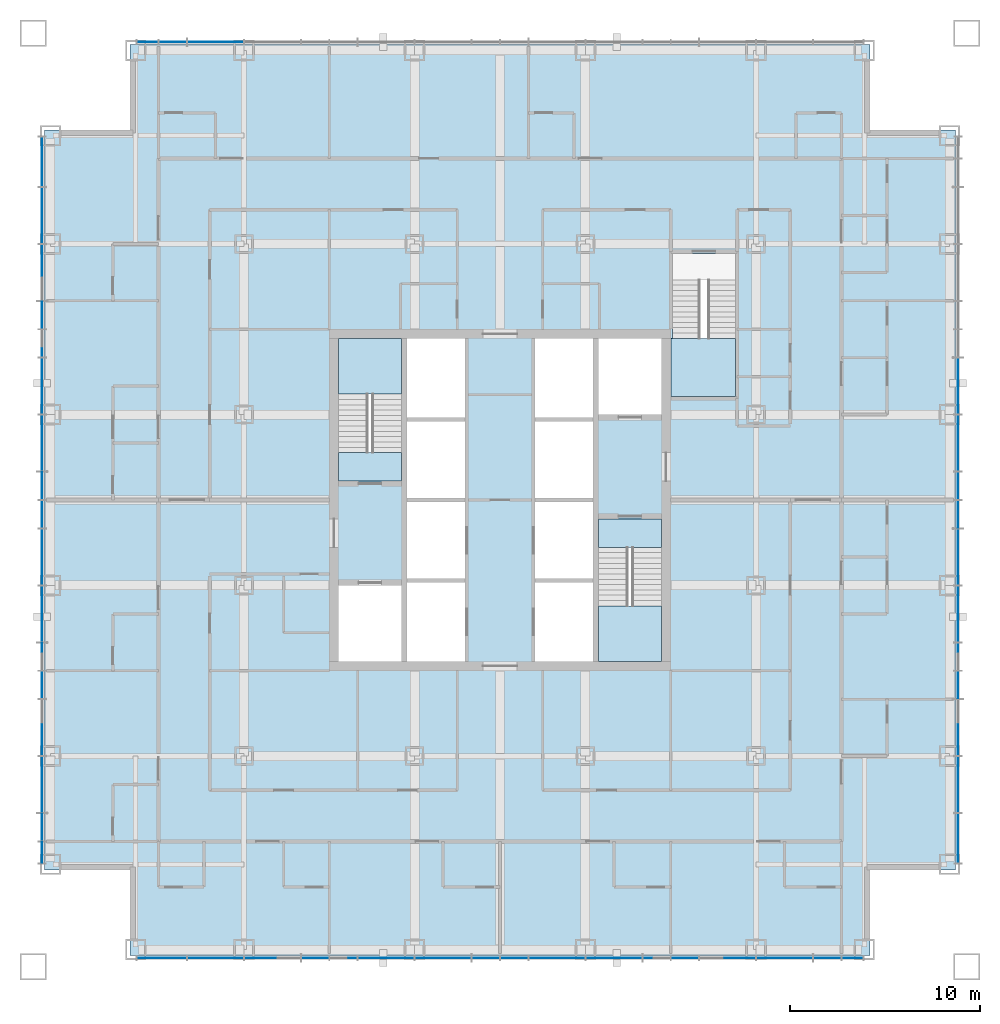
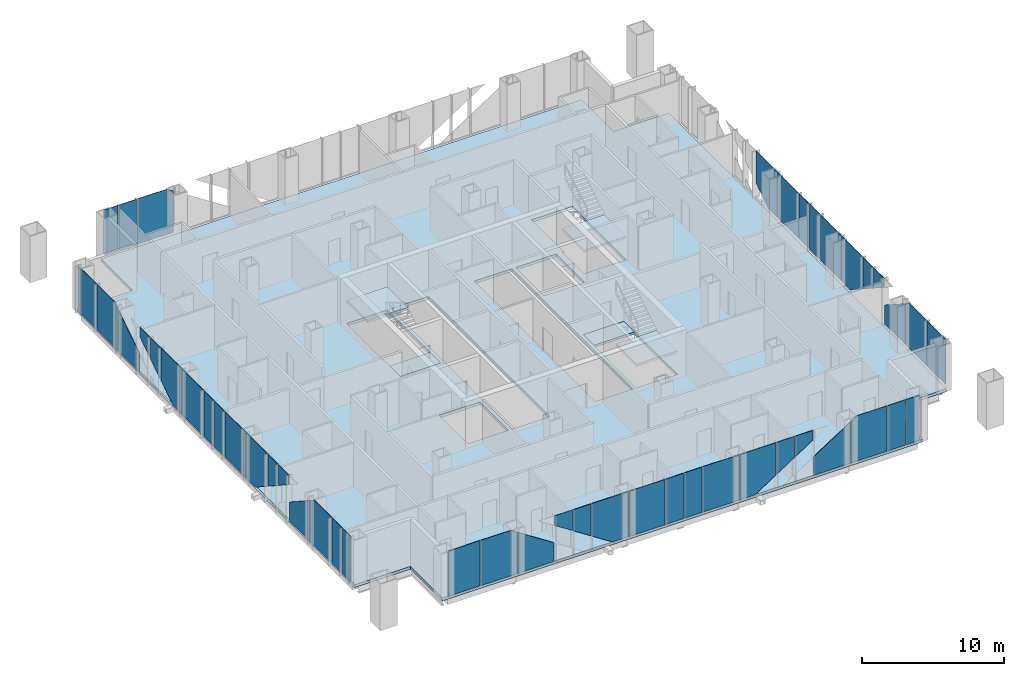
# One storey, part 7 of 13: 48 plates, 6 slabs, 7 elements without a shape of their own.
"""IFC4 building model written with IfcOpenShell, lengths in metres."""

from ifc_helpers import new_model, si_unit, direction, frame, origin, origin_2d, place, context, subcontext, project, spatial, polyline, rectangle, outline, extrude, material, layer, layer_set, type_object, element, aggregate, save


model = new_model("IFC4")

# Units and contexts
model_context = context("Model", 3, precision=1e-05, world=origin(), true_north=direction((0.0, 1.0)))
body_context = subcontext(model_context, "Body", "Model", "MODEL_VIEW")
ifc_project = project(units=[si_unit("LENGTHUNIT", "METRE"), si_unit("AREAUNIT", "SQUARE_METRE"), si_unit("VOLUMEUNIT", "CUBIC_METRE"), si_unit("PLANEANGLEUNIT", "RADIAN"), si_unit("MASSUNIT", "GRAM", prefix="KILO")], contexts=[model_context])

# Site, building, storey
site_placement = place(None, origin())
site = spatial("IfcSite", under=ifc_project, at=site_placement, CompositionType="ELEMENT")
building_placement = place(site_placement, origin())
building = spatial("IfcBuilding", under=site, at=building_placement, Name="Malebo Sky Hospital", CompositionType="ELEMENT")
storey_placement = place(building_placement, frame((0.0, 0.0, 160.0)))
storey = spatial("IfcBuildingStorey", under=building, at=storey_placement, Name="L38", CompositionType="ELEMENT", Elevation=160.0)

# Slab
ifc_material_1 = material(Name="Concrete C40/50", Category="concrete")
ifc_layer_1 = layer(ifc_material_1, 0.25)
ifc_layer_set_1 = layer_set([ifc_layer_1], Name="COMPOSITE FLOOR SLAB 250")
slab_type_1 = type_object("IfcSlabType", Name="COMPOSITE FLOOR SLAB 250", PredefinedType="FLOOR", material=ifc_layer_set_1)
slab_1_placement = place(storey_placement, frame((0.0, 0.0, -0.25)))
element("IfcSlab", 1, at=slab_1_placement, inside=storey, type_object=slab_type_1, Name="Floor slab L38", PredefinedType="FLOOR", context=body_context, shape_type="SweptSolid", body=[
    extrude(outline(polyline([(40.5, 86.0), (40.5, 81.5), (36.0, 81.5), (36.0, 42.5), (40.5, 42.5), (40.5, 38.0), (79.5, 38.0), (79.5, 42.5), (84.0, 42.5), (84.0, 81.5), (79.5, 81.5), (79.5, 86.0), (40.5, 86.0)]), holes=[polyline([(55.10009765625, 70.5), (58.14990234375, 70.5), (58.14990234375, 53.5), (55.10009765625, 53.5), (55.10009765625, 70.5)]), polyline([(64.89990234375, 70.5), (64.89990234375, 53.5), (61.85009765625, 53.5), (61.85009765625, 70.5), (64.89990234375, 70.5)]), polyline([(54.800048828125, 63.0), (51.5, 63.0), (51.5, 70.5), (54.800048828125, 70.5), (54.800048828125, 63.0)]), polyline([(51.5, 53.5), (51.5, 57.5), (54.800048828125, 57.5), (54.800048828125, 53.5), (51.5, 53.5)]), polyline([(65.199951171875, 61.0), (68.5, 61.0), (68.5, 53.5), (65.199951171875, 53.5), (65.199951171875, 61.0)]), polyline([(68.5, 70.5), (68.5, 66.5), (65.199951171875, 66.5), (65.199951171875, 70.5), (68.5, 70.5)]), polyline([(69.0, 67.449951171875), (69.0, 70.52001953125), (69.10009765625, 70.52001953125), (69.10009765625, 75.0), (72.39990234375, 75.0), (72.39990234375, 67.449951171875), (69.10009765625, 67.449951171875), (69.0, 67.449951171875)])]), origin(), (0.0, 0.0, 1.0), 0.25),
])

# Stair, slabs
stair_type_1 = type_object("IfcStairType", Name="HALF-TURN STAIR 1500 R167", PredefinedType="HALF_TURN_STAIR", material=ifc_material_1)
stair_1_placement = place(storey_placement, origin())
stair_1 = element("IfcStair", 2, at=stair_1_placement, inside=storey, type_object=stair_type_1, Name="Stair S1 L38 type ST1", PredefinedType="HALF_TURN_STAIR")
ifc_layer_2 = layer(ifc_material_1, 0.199951171875)
ifc_layer_set_2 = layer_set([ifc_layer_2], Name="STAIR LANDING 200")
slab_type_2 = type_object("IfcSlabType", Name="STAIR LANDING 200", PredefinedType="LANDING", material=ifc_layer_set_2)
slab_2_placement = place(storey_placement, frame((0.0, 0.0, -0.199951171875)))
slab_2 = element("IfcSlab", 3, at=slab_2_placement, type_object=slab_type_2, Name="S1 landing 1", PredefinedType="LANDING", context=body_context, shape_type="SweptSolid", body=[
    extrude(outline(polyline([(51.5, 63.0), (54.800048828125, 63.0), (54.800048828125, 64.5), (51.5, 64.5), (51.5, 63.0)])), origin(), (0.0, 0.0, 1.0), 0.199951171875),
])
slab_3_placement = place(storey_placement, frame((0.0, 0.0, 1.800048828125)))
slab_3 = element("IfcSlab", 4, at=slab_3_placement, type_object=slab_type_2, Name="S1 landing 2", PredefinedType="LANDING", context=body_context, shape_type="SweptSolid", body=[
    extrude(outline(polyline([(51.5, 67.580078125), (54.800048828125, 67.580078125), (54.800048828125, 70.5), (51.5, 70.5), (51.5, 67.580078125)])), origin(), (0.0, 0.0, 1.0), 0.199951171875),
])
aggregate(stair_1, [slab_2, slab_3])

stair_2_placement = place(storey_placement, origin())
stair_2 = element("IfcStair", 5, at=stair_2_placement, inside=storey, type_object=stair_type_1, Name="Stair S2 L38 type ST1", PredefinedType="HALF_TURN_STAIR")
slab_4_placement = place(storey_placement, frame((0.0, 0.0, -0.199951171875)))
slab_4 = element("IfcSlab", 6, at=slab_4_placement, type_object=slab_type_2, Name="S2 landing 1", PredefinedType="LANDING", context=body_context, shape_type="SweptSolid", body=[
    extrude(outline(polyline([(65.199951171875, 59.5), (68.5, 59.5), (68.5, 61.0), (65.199951171875, 61.0), (65.199951171875, 59.5)])), origin(), (0.0, 0.0, 1.0), 0.199951171875),
])
slab_5_placement = place(storey_placement, frame((0.0, 0.0, 1.800048828125)))
slab_5 = element("IfcSlab", 7, at=slab_5_placement, type_object=slab_type_2, Name="S2 landing 2", PredefinedType="LANDING", context=body_context, shape_type="SweptSolid", body=[
    extrude(outline(polyline([(65.199951171875, 53.5), (68.5, 53.5), (68.5, 56.419921875), (65.199951171875, 56.419921875), (65.199951171875, 53.5)])), origin(), (0.0, 0.0, 1.0), 0.199951171875),
])
aggregate(stair_2, [slab_4, slab_5])

# Stair, slab
stair_type_2 = type_object("IfcStairType", Name="HALF-TURN STAIR 1400 R167", PredefinedType="HALF_TURN_STAIR", material=ifc_material_1)
stair_3_placement = place(storey_placement, origin())
stair_3 = element("IfcStair", 8, at=stair_3_placement, inside=storey, type_object=stair_type_2, Name="Stair S3 L38 type ST1B", PredefinedType="HALF_TURN_STAIR")
slab_6_placement = place(storey_placement, frame((0.0, 0.0, 1.800048828125)))
slab_6 = element("IfcSlab", 9, at=slab_6_placement, type_object=slab_type_2, Name="S3 landing 2", PredefinedType="LANDING", context=body_context, shape_type="SweptSolid", body=[
    extrude(outline(polyline([(69.0, 67.449951171875), (72.39990234375, 67.449951171875), (72.39990234375, 70.52001953125), (69.0, 70.52001953125), (69.0, 67.449951171875)])), origin(), (0.0, 0.0, 1.0), 0.199951171875),
])
aggregate(stair_3, [slab_6])

# Curtain wall, plates
ifc_material_2 = material(Name="Anodised aluminium, natural silver", Category="aluminium")
ifc_layer_3 = layer(ifc_material_2, 0.25)
ifc_layer_set_3 = layer_set([ifc_layer_3], Name="WARD CURTAIN WALL NORTH AND SOUTH")
curtain_wall_type_1 = type_object("IfcCurtainWallType", Name="WARD CURTAIN WALL NORTH AND SOUTH", PredefinedType="NOTDEFINED", material=ifc_layer_set_3)
curtain_wall_1_placement = place(storey_placement, origin())
curtain_wall_1 = element("IfcCurtainWall", 10, at=curtain_wall_1_placement, inside=storey, type_object=curtain_wall_type_1, Name="NS curtain wall N", PredefinedType="NOTDEFINED")
ifc_material_3 = material(Name="Clear low-iron double glazing", Category="glass")
ifc_layer_4 = layer(ifc_material_3, 0.031982421875)
ifc_layer_set_4 = layer_set([ifc_layer_4], Name="VISION PANEL CLEAR 32")
plate_type = type_object("IfcPlateType", Name="VISION PANEL CLEAR 32", PredefinedType="CURTAIN_PANEL", material=ifc_layer_set_4)
plate_1_placement = place(storey_placement, frame((41.418701171875, 86.135009765625, 0.10009765625), z_axis=(0.0, 0.0, 1.0), x_axis=(1.0, 0.0, 0.0)))
plate_1 = element("IfcPlate", 11, at=plate_1_placement, type_object=plate_type, Name="Panel 1", PredefinedType="CURTAIN_PANEL", context=body_context, shape_type="SweptSolid", body=[
    extrude(rectangle(XDim=1.08740234375, YDim=0.031982421875, at=origin_2d()), origin(), (0.0, 0.0, 1.0), 3.889892578125),
])
plate_2_placement = place(storey_placement, frame((42.75, 86.135009765625, 0.10009765625), z_axis=(0.0, 0.0, 1.0), x_axis=(1.0, 0.0, 0.0)))
plate_2 = element("IfcPlate", 12, at=plate_2_placement, type_object=plate_type, Name="Panel 2", PredefinedType="CURTAIN_PANEL", context=body_context, shape_type="SweptSolid", body=[
    extrude(rectangle(XDim=1.425048828125, YDim=0.031982421875, at=origin_2d()), origin(), (0.0, 0.0, 1.0), 3.889892578125),
])
plate_3_placement = place(storey_placement, frame((45.0, 86.135009765625, 0.10009765625), z_axis=(0.0, 0.0, 1.0), x_axis=(1.0, 0.0, 0.0)))
plate_3 = element("IfcPlate", 13, at=plate_3_placement, type_object=plate_type, Name="Panel 3", PredefinedType="CURTAIN_PANEL", context=body_context, shape_type="SweptSolid", body=[
    extrude(outline(polyline([(-1.46240234375, 0.0), (1.46240234375, 0.0), (1.46240234375, 3.558837890625), (0.953125, 3.889892578125), (-1.46240234375, 3.889892578125), (-1.46240234375, 0.0)])), frame((0.0, 0.01611328125, 0.0), z_axis=(0.0, -1.0, 0.0), x_axis=(1.0, 0.0, 0.0)), (0.0, 0.0, 1.0), 0.031982421875),
])
aggregate(curtain_wall_1, [plate_1, plate_2, plate_3])

ifc_layer_5 = layer(ifc_material_2, 0.25)
ifc_layer_set_5 = layer_set([ifc_layer_5], Name="WARD CURTAIN WALL EAST AND WEST")
curtain_wall_type_2 = type_object("IfcCurtainWallType", Name="WARD CURTAIN WALL EAST AND WEST", PredefinedType="NOTDEFINED", material=ifc_layer_set_5)
curtain_wall_2_placement = place(storey_placement, origin())
curtain_wall_2 = element("IfcCurtainWall", 14, at=curtain_wall_2_placement, inside=storey, type_object=curtain_wall_type_2, Name="EW curtain wall W", PredefinedType="NOTDEFINED")
plate_4_placement = place(storey_placement, frame((35.864990234375, 43.418701171875, 0.10009765625), z_axis=(0.0, 0.0, 1.0), x_axis=(0.0, 1.0, 0.0)))
plate_4 = element("IfcPlate", 15, at=plate_4_placement, type_object=plate_type, Name="Panel 1", PredefinedType="CURTAIN_PANEL", context=body_context, shape_type="SweptSolid", body=[
    extrude(rectangle(XDim=1.08740234375, YDim=0.031982421875, at=origin_2d()), origin(), (0.0, 0.0, 1.0), 3.889892578125),
])
plate_5_placement = place(storey_placement, frame((35.864990234375, 44.75, 0.10009765625), z_axis=(0.0, 0.0, 1.0), x_axis=(0.0, 1.0, 0.0)))
plate_5 = element("IfcPlate", 16, at=plate_5_placement, type_object=plate_type, Name="Panel 2", PredefinedType="CURTAIN_PANEL", context=body_context, shape_type="SweptSolid", body=[
    extrude(rectangle(XDim=1.425048828125, YDim=0.031982421875, at=origin_2d()), origin(), (0.0, 0.0, 1.0), 3.889892578125),
])
plate_6_placement = place(storey_placement, frame((35.864990234375, 47.0, 0.10009765625), z_axis=(0.0, 0.0, 1.0), x_axis=(0.0, 1.0, 0.0)))
plate_6 = element("IfcPlate", 17, at=plate_6_placement, type_object=plate_type, Name="Panel 3", PredefinedType="CURTAIN_PANEL", context=body_context, shape_type="SweptSolid", body=[
    extrude(outline(polyline([(-1.46240234375, 0.0), (1.46240234375, 0.0), (1.46240234375, 3.558837890625), (0.953125, 3.889892578125), (-1.46240234375, 3.889892578125), (-1.46240234375, 0.0)])), frame((0.0, 0.01611328125, 0.0), z_axis=(0.0, -1.0, 0.0), x_axis=(1.0, 0.0, 0.0)), (0.0, 0.0, 1.0), 0.031982421875),
])
plate_7_placement = place(storey_placement, frame((35.864990234375, 50.0, 0.10009765625), z_axis=(0.0, 0.0, 1.0), x_axis=(0.0, 1.0, 0.0)))
plate_7 = element("IfcPlate", 18, at=plate_7_placement, type_object=plate_type, Name="Panel 4", PredefinedType="CURTAIN_PANEL", context=body_context, shape_type="SweptSolid", body=[
    extrude(outline(polyline([(-1.46240234375, 0.0), (1.46240234375, 0.0), (1.46240234375, 1.607666015625), (-1.46240234375, 3.510009765625), (-1.46240234375, 0.0)])), frame((0.0, 0.01611328125, 0.0), z_axis=(0.0, -1.0, 0.0), x_axis=(1.0, 0.0, 0.0)), (0.0, 0.0, 1.0), 0.031982421875),
])
plate_8_placement = place(storey_placement, frame((35.864990234375, 52.25, 2.224365234375), z_axis=(0.0, 0.0, 1.0), x_axis=(0.0, 1.0, 0.0)))
plate_8 = element("IfcPlate", 19, at=plate_8_placement, type_object=plate_type, Name="Panel 5", PredefinedType="CURTAIN_PANEL", context=body_context, shape_type="SweptSolid", body=[
    extrude(outline(polyline([(0.71240234375, 0.0), (0.71240234375, 1.765625), (-0.71240234375, 1.765625), (-0.71240234375, 0.9267578125), (0.71240234375, 0.0)])), frame((0.0, 0.01611328125, 0.0), z_axis=(0.0, -1.0, 0.0), x_axis=(1.0, 0.0, 0.0)), (0.0, 0.0, 1.0), 0.031982421875),
])
plate_9_placement = place(storey_placement, frame((35.864990234375, 53.75, 1.248779296875), z_axis=(0.0, 0.0, 1.0), x_axis=(0.0, 1.0, 0.0)))
plate_9 = element("IfcPlate", 20, at=plate_9_placement, type_object=plate_type, Name="Panel 6", PredefinedType="CURTAIN_PANEL", context=body_context, shape_type="SweptSolid", body=[
    extrude(outline(polyline([(0.71240234375, 0.0), (0.71240234375, 2.7412109375), (-0.71240234375, 2.7412109375), (-0.71240234375, 0.9267578125), (0.71240234375, 0.0)])), frame((0.0, 0.01611328125, 0.0), z_axis=(0.0, -1.0, 0.0), x_axis=(1.0, 0.0, 0.0)), (0.0, 0.0, 1.0), 0.031982421875),
])
plate_10_placement = place(storey_placement, frame((35.864990234375, 56.0, 0.10009765625), z_axis=(0.0, 0.0, 1.0), x_axis=(0.0, 1.0, 0.0)))
plate_10 = element("IfcPlate", 21, at=plate_10_placement, type_object=plate_type, Name="Panel 7", PredefinedType="CURTAIN_PANEL", context=body_context, shape_type="SweptSolid", body=[
    extrude(outline(polyline([(0.228515625, 0.0), (1.46240234375, 0.0), (1.46240234375, 3.889892578125), (-1.46240234375, 3.889892578125), (-1.46240234375, 1.099853515625), (0.228515625, 0.0)])), frame((0.0, 0.01611328125, 0.0), z_axis=(0.0, -1.0, 0.0), x_axis=(1.0, 0.0, 0.0)), (0.0, 0.0, 1.0), 0.031982421875),
])
plate_11_placement = place(storey_placement, frame((35.864990234375, 59.0, 0.10009765625), z_axis=(0.0, 0.0, 1.0), x_axis=(0.0, 1.0, 0.0)))
plate_11 = element("IfcPlate", 22, at=plate_11_placement, type_object=plate_type, Name="Panel 8", PredefinedType="CURTAIN_PANEL", context=body_context, shape_type="SweptSolid", body=[
    extrude(rectangle(XDim=2.925048828125, YDim=0.031982421875, at=origin_2d()), origin(), (0.0, 0.0, 1.0), 3.889892578125),
])
plate_12_placement = place(storey_placement, frame((35.864990234375, 61.25, 0.10009765625), z_axis=(0.0, 0.0, 1.0), x_axis=(0.0, 1.0, 0.0)))
plate_12 = element("IfcPlate", 23, at=plate_12_placement, type_object=plate_type, Name="Panel 9", PredefinedType="CURTAIN_PANEL", context=body_context, shape_type="SweptSolid", body=[
    extrude(rectangle(XDim=1.425048828125, YDim=0.031982421875, at=origin_2d()), origin(), (0.0, 0.0, 1.0), 3.889892578125),
])
plate_13_placement = place(storey_placement, frame((35.864990234375, 62.75, 0.10009765625), z_axis=(0.0, 0.0, 1.0), x_axis=(0.0, 1.0, 0.0)))
plate_13 = element("IfcPlate", 24, at=plate_13_placement, type_object=plate_type, Name="Panel 10", PredefinedType="CURTAIN_PANEL", context=body_context, shape_type="SweptSolid", body=[
    extrude(rectangle(XDim=1.425048828125, YDim=0.031982421875, at=origin_2d()), origin(), (0.0, 0.0, 1.0), 3.889892578125),
])
plate_14_placement = place(storey_placement, frame((35.864990234375, 65.0, 0.10009765625), z_axis=(0.0, 0.0, 1.0), x_axis=(0.0, 1.0, 0.0)))
plate_14 = element("IfcPlate", 25, at=plate_14_placement, type_object=plate_type, Name="Panel 11", PredefinedType="CURTAIN_PANEL", context=body_context, shape_type="SweptSolid", body=[
    extrude(rectangle(XDim=2.925048828125, YDim=0.031982421875, at=origin_2d()), origin(), (0.0, 0.0, 1.0), 3.889892578125),
])
plate_15_placement = place(storey_placement, frame((35.864990234375, 68.0, 0.10009765625), z_axis=(0.0, 0.0, 1.0), x_axis=(0.0, 1.0, 0.0)))
plate_15 = element("IfcPlate", 26, at=plate_15_placement, type_object=plate_type, Name="Panel 12", PredefinedType="CURTAIN_PANEL", context=body_context, shape_type="SweptSolid", body=[
    extrude(outline(polyline([(-1.46240234375, 0.0), (-0.228515625, 0.0), (1.46240234375, 1.099853515625), (1.46240234375, 3.889892578125), (-1.46240234375, 3.889892578125), (-1.46240234375, 0.0)])), frame((0.0, 0.01611328125, 0.0), z_axis=(0.0, -1.0, 0.0), x_axis=(1.0, 0.0, 0.0)), (0.0, 0.0, 1.0), 0.031982421875),
])
plate_16_placement = place(storey_placement, frame((35.864990234375, 70.25, 1.248779296875), z_axis=(0.0, 0.0, 1.0), x_axis=(0.0, 1.0, 0.0)))
plate_16 = element("IfcPlate", 27, at=plate_16_placement, type_object=plate_type, Name="Panel 13", PredefinedType="CURTAIN_PANEL", context=body_context, shape_type="SweptSolid", body=[
    extrude(outline(polyline([(-0.71240234375, 0.0), (0.71240234375, 0.9267578125), (0.71240234375, 2.7412109375), (-0.71240234375, 2.7412109375), (-0.71240234375, 0.0)])), frame((0.0, 0.01611328125, 0.0), z_axis=(0.0, -1.0, 0.0), x_axis=(1.0, 0.0, 0.0)), (0.0, 0.0, 1.0), 0.031982421875),
])
plate_17_placement = place(storey_placement, frame((35.864990234375, 71.75, 2.224365234375), z_axis=(0.0, 0.0, 1.0), x_axis=(0.0, 1.0, 0.0)))
plate_17 = element("IfcPlate", 28, at=plate_17_placement, type_object=plate_type, Name="Panel 14", PredefinedType="CURTAIN_PANEL", context=body_context, shape_type="SweptSolid", body=[
    extrude(outline(polyline([(-0.71240234375, 0.0), (0.71240234375, 0.9267578125), (0.71240234375, 1.765625), (-0.71240234375, 1.765625), (-0.71240234375, 0.0)])), frame((0.0, 0.01611328125, 0.0), z_axis=(0.0, -1.0, 0.0), x_axis=(1.0, 0.0, 0.0)), (0.0, 0.0, 1.0), 0.031982421875),
])
plate_18_placement = place(storey_placement, frame((35.864990234375, 74.0, 0.10009765625), z_axis=(0.0, 0.0, 1.0), x_axis=(0.0, 1.0, 0.0)))
plate_18 = element("IfcPlate", 29, at=plate_18_placement, type_object=plate_type, Name="Panel 15", PredefinedType="CURTAIN_PANEL", context=body_context, shape_type="SweptSolid", body=[
    extrude(outline(polyline([(-1.46240234375, 0.0), (1.46240234375, 0.0), (1.46240234375, 3.510009765625), (-1.46240234375, 1.607666015625), (-1.46240234375, 0.0)])), frame((0.0, 0.01611328125, 0.0), z_axis=(0.0, -1.0, 0.0), x_axis=(1.0, 0.0, 0.0)), (0.0, 0.0, 1.0), 0.031982421875),
])
plate_19_placement = place(storey_placement, frame((35.864990234375, 77.0, 0.10009765625), z_axis=(0.0, 0.0, 1.0), x_axis=(0.0, 1.0, 0.0)))
plate_19 = element("IfcPlate", 30, at=plate_19_placement, type_object=plate_type, Name="Panel 16", PredefinedType="CURTAIN_PANEL", context=body_context, shape_type="SweptSolid", body=[
    extrude(outline(polyline([(-1.46240234375, 0.0), (1.46240234375, 0.0), (1.46240234375, 3.889892578125), (-0.953125, 3.889892578125), (-1.46240234375, 3.558837890625), (-1.46240234375, 0.0)])), frame((0.0, 0.01611328125, 0.0), z_axis=(0.0, -1.0, 0.0), x_axis=(1.0, 0.0, 0.0)), (0.0, 0.0, 1.0), 0.031982421875),
])
plate_20_placement = place(storey_placement, frame((35.864990234375, 79.831298828125, 0.10009765625), z_axis=(0.0, 0.0, 1.0), x_axis=(0.0, 1.0, 0.0)))
plate_20 = element("IfcPlate", 31, at=plate_20_placement, type_object=plate_type, Name="Panel 17", PredefinedType="CURTAIN_PANEL", context=body_context, shape_type="SweptSolid", body=[
    extrude(rectangle(XDim=2.58740234375, YDim=0.031982421875, at=origin_2d()), origin(), (0.0, 0.0, 1.0), 3.889892578125),
])
aggregate(curtain_wall_2, [plate_4, plate_5, plate_6, plate_7, plate_8, plate_9, plate_10, plate_11, plate_12, plate_13, plate_14, plate_15, plate_16, plate_17, plate_18, plate_19, plate_20])

curtain_wall_3_placement = place(storey_placement, origin())
curtain_wall_3 = element("IfcCurtainWall", 32, at=curtain_wall_3_placement, inside=storey, type_object=curtain_wall_type_1, Name="NS curtain wall S", PredefinedType="NOTDEFINED")
plate_21_placement = place(storey_placement, frame((78.581298828125, 37.864990234375, 0.10009765625), z_axis=(0.0, 0.0, 1.0), x_axis=(-1.0, 0.0, 0.0)))
plate_21 = element("IfcPlate", 33, at=plate_21_placement, type_object=plate_type, Name="Panel 1", PredefinedType="CURTAIN_PANEL", context=body_context, shape_type="SweptSolid", body=[
    extrude(rectangle(XDim=1.08740234375, YDim=0.031982421875, at=origin_2d()), origin(), (0.0, 0.0, 1.0), 3.889892578125),
])
plate_22_placement = place(storey_placement, frame((77.25, 37.864990234375, 0.10009765625), z_axis=(0.0, 0.0, 1.0), x_axis=(-1.0, 0.0, 0.0)))
plate_22 = element("IfcPlate", 34, at=plate_22_placement, type_object=plate_type, Name="Panel 2", PredefinedType="CURTAIN_PANEL", context=body_context, shape_type="SweptSolid", body=[
    extrude(rectangle(XDim=1.425048828125, YDim=0.031982421875, at=origin_2d()), origin(), (0.0, 0.0, 1.0), 3.889892578125),
])
plate_23_placement = place(storey_placement, frame((75.0, 37.864990234375, 0.10009765625), z_axis=(0.0, 0.0, 1.0), x_axis=(-1.0, 0.0, 0.0)))
plate_23 = element("IfcPlate", 35, at=plate_23_placement, type_object=plate_type, Name="Panel 3", PredefinedType="CURTAIN_PANEL", context=body_context, shape_type="SweptSolid", body=[
    extrude(outline(polyline([(-1.46240234375, 0.0), (1.46240234375, 0.0), (1.46240234375, 3.558837890625), (0.953125, 3.889892578125), (-1.46240234375, 3.889892578125), (-1.46240234375, 0.0)])), frame((0.0, 0.01611328125, 0.0), z_axis=(0.0, -1.0, 0.0), x_axis=(1.0, 0.0, 0.0)), (0.0, 0.0, 1.0), 0.031982421875),
])
plate_24_placement = place(storey_placement, frame((72.0, 37.864990234375, 0.10009765625), z_axis=(0.0, 0.0, 1.0), x_axis=(-1.0, 0.0, 0.0)))
plate_24 = element("IfcPlate", 36, at=plate_24_placement, type_object=plate_type, Name="Panel 4", PredefinedType="CURTAIN_PANEL", context=body_context, shape_type="SweptSolid", body=[
    extrude(outline(polyline([(-1.46240234375, 0.0), (1.46240234375, 0.0), (1.46240234375, 1.607666015625), (-1.46240234375, 3.510009765625), (-1.46240234375, 0.0)])), frame((0.0, 0.01611328125, 0.0), z_axis=(0.0, -1.0, 0.0), x_axis=(1.0, 0.0, 0.0)), (0.0, 0.0, 1.0), 0.031982421875),
])
plate_25_placement = place(storey_placement, frame((69.75, 37.864990234375, 2.224365234375), z_axis=(0.0, 0.0, 1.0), x_axis=(-1.0, 0.0, 0.0)))
plate_25 = element("IfcPlate", 37, at=plate_25_placement, type_object=plate_type, Name="Panel 5", PredefinedType="CURTAIN_PANEL", context=body_context, shape_type="SweptSolid", body=[
    extrude(outline(polyline([(0.71240234375, 0.0), (0.71240234375, 1.765625), (-0.71240234375, 1.765625), (-0.71240234375, 0.9267578125), (0.71240234375, 0.0)])), frame((0.0, 0.01611328125, 0.0), z_axis=(0.0, -1.0, 0.0), x_axis=(1.0, 0.0, 0.0)), (0.0, 0.0, 1.0), 0.031982421875),
])
plate_26_placement = place(storey_placement, frame((68.25, 37.864990234375, 1.248779296875), z_axis=(0.0, 0.0, 1.0), x_axis=(-1.0, 0.0, 0.0)))
plate_26 = element("IfcPlate", 38, at=plate_26_placement, type_object=plate_type, Name="Panel 6", PredefinedType="CURTAIN_PANEL", context=body_context, shape_type="SweptSolid", body=[
    extrude(outline(polyline([(0.71240234375, 0.0), (0.71240234375, 2.7412109375), (-0.71240234375, 2.7412109375), (-0.71240234375, 0.9267578125), (0.71240234375, 0.0)])), frame((0.0, 0.01611328125, 0.0), z_axis=(0.0, -1.0, 0.0), x_axis=(1.0, 0.0, 0.0)), (0.0, 0.0, 1.0), 0.031982421875),
])
plate_27_placement = place(storey_placement, frame((66.0, 37.864990234375, 0.10009765625), z_axis=(0.0, 0.0, 1.0), x_axis=(-1.0, 0.0, 0.0)))
plate_27 = element("IfcPlate", 39, at=plate_27_placement, type_object=plate_type, Name="Panel 7", PredefinedType="CURTAIN_PANEL", context=body_context, shape_type="SweptSolid", body=[
    extrude(outline(polyline([(0.228515625, 0.0), (1.46240234375, 0.0), (1.46240234375, 3.889892578125), (-1.46240234375, 3.889892578125), (-1.46240234375, 1.099853515625), (0.228515625, 0.0)])), frame((0.0, 0.01611328125, 0.0), z_axis=(0.0, -1.0, 0.0), x_axis=(1.0, 0.0, 0.0)), (0.0, 0.0, 1.0), 0.031982421875),
])
plate_28_placement = place(storey_placement, frame((63.0, 37.864990234375, 0.10009765625), z_axis=(0.0, 0.0, 1.0), x_axis=(-1.0, 0.0, 0.0)))
plate_28 = element("IfcPlate", 40, at=plate_28_placement, type_object=plate_type, Name="Panel 8", PredefinedType="CURTAIN_PANEL", context=body_context, shape_type="SweptSolid", body=[
    extrude(rectangle(XDim=2.925048828125, YDim=0.031982421875, at=origin_2d()), origin(), (0.0, 0.0, 1.0), 3.889892578125),
])
plate_29_placement = place(storey_placement, frame((60.75, 37.864990234375, 0.10009765625), z_axis=(0.0, 0.0, 1.0), x_axis=(-1.0, 0.0, 0.0)))
plate_29 = element("IfcPlate", 41, at=plate_29_placement, type_object=plate_type, Name="Panel 9", PredefinedType="CURTAIN_PANEL", context=body_context, shape_type="SweptSolid", body=[
    extrude(rectangle(XDim=1.425048828125, YDim=0.031982421875, at=origin_2d()), origin(), (0.0, 0.0, 1.0), 3.889892578125),
])
plate_30_placement = place(storey_placement, frame((59.25, 37.864990234375, 0.10009765625), z_axis=(0.0, 0.0, 1.0), x_axis=(-1.0, 0.0, 0.0)))
plate_30 = element("IfcPlate", 42, at=plate_30_placement, type_object=plate_type, Name="Panel 10", PredefinedType="CURTAIN_PANEL", context=body_context, shape_type="SweptSolid", body=[
    extrude(rectangle(XDim=1.425048828125, YDim=0.031982421875, at=origin_2d()), origin(), (0.0, 0.0, 1.0), 3.889892578125),
])
plate_31_placement = place(storey_placement, frame((57.0, 37.864990234375, 0.10009765625), z_axis=(0.0, 0.0, 1.0), x_axis=(-1.0, 0.0, 0.0)))
plate_31 = element("IfcPlate", 43, at=plate_31_placement, type_object=plate_type, Name="Panel 11", PredefinedType="CURTAIN_PANEL", context=body_context, shape_type="SweptSolid", body=[
    extrude(rectangle(XDim=2.925048828125, YDim=0.031982421875, at=origin_2d()), origin(), (0.0, 0.0, 1.0), 3.889892578125),
])
plate_32_placement = place(storey_placement, frame((54.0, 37.864990234375, 0.10009765625), z_axis=(0.0, 0.0, 1.0), x_axis=(-1.0, 0.0, 0.0)))
plate_32 = element("IfcPlate", 44, at=plate_32_placement, type_object=plate_type, Name="Panel 12", PredefinedType="CURTAIN_PANEL", context=body_context, shape_type="SweptSolid", body=[
    extrude(outline(polyline([(-1.46240234375, 0.0), (-0.228515625, 0.0), (1.46240234375, 1.099853515625), (1.46240234375, 3.889892578125), (-1.46240234375, 3.889892578125), (-1.46240234375, 0.0)])), frame((0.0, 0.01611328125, 0.0), z_axis=(0.0, -1.0, 0.0), x_axis=(1.0, 0.0, 0.0)), (0.0, 0.0, 1.0), 0.031982421875),
])
plate_33_placement = place(storey_placement, frame((51.75, 37.864990234375, 1.248779296875), z_axis=(0.0, 0.0, 1.0), x_axis=(-1.0, 0.0, 0.0)))
plate_33 = element("IfcPlate", 45, at=plate_33_placement, type_object=plate_type, Name="Panel 13", PredefinedType="CURTAIN_PANEL", context=body_context, shape_type="SweptSolid", body=[
    extrude(outline(polyline([(-0.71240234375, 0.0), (0.71240234375, 0.9267578125), (0.71240234375, 2.7412109375), (-0.71240234375, 2.7412109375), (-0.71240234375, 0.0)])), frame((0.0, 0.01611328125, 0.0), z_axis=(0.0, -1.0, 0.0), x_axis=(1.0, 0.0, 0.0)), (0.0, 0.0, 1.0), 0.031982421875),
])
plate_34_placement = place(storey_placement, frame((50.25, 37.864990234375, 2.224365234375), z_axis=(0.0, 0.0, 1.0), x_axis=(-1.0, 0.0, 0.0)))
plate_34 = element("IfcPlate", 46, at=plate_34_placement, type_object=plate_type, Name="Panel 14", PredefinedType="CURTAIN_PANEL", context=body_context, shape_type="SweptSolid", body=[
    extrude(outline(polyline([(-0.71240234375, 0.0), (0.71240234375, 0.9267578125), (0.71240234375, 1.765625), (-0.71240234375, 1.765625), (-0.71240234375, 0.0)])), frame((0.0, 0.01611328125, 0.0), z_axis=(0.0, -1.0, 0.0), x_axis=(1.0, 0.0, 0.0)), (0.0, 0.0, 1.0), 0.031982421875),
])
plate_35_placement = place(storey_placement, frame((48.0, 37.864990234375, 0.10009765625), z_axis=(0.0, 0.0, 1.0), x_axis=(-1.0, 0.0, 0.0)))
plate_35 = element("IfcPlate", 47, at=plate_35_placement, type_object=plate_type, Name="Panel 15", PredefinedType="CURTAIN_PANEL", context=body_context, shape_type="SweptSolid", body=[
    extrude(outline(polyline([(-1.46240234375, 0.0), (1.46240234375, 0.0), (1.46240234375, 3.510009765625), (-1.46240234375, 1.607666015625), (-1.46240234375, 0.0)])), frame((0.0, 0.01611328125, 0.0), z_axis=(0.0, -1.0, 0.0), x_axis=(1.0, 0.0, 0.0)), (0.0, 0.0, 1.0), 0.031982421875),
])
plate_36_placement = place(storey_placement, frame((45.0, 37.864990234375, 0.10009765625), z_axis=(0.0, 0.0, 1.0), x_axis=(-1.0, 0.0, 0.0)))
plate_36 = element("IfcPlate", 48, at=plate_36_placement, type_object=plate_type, Name="Panel 16", PredefinedType="CURTAIN_PANEL", context=body_context, shape_type="SweptSolid", body=[
    extrude(outline(polyline([(-1.46240234375, 0.0), (1.46240234375, 0.0), (1.46240234375, 3.889892578125), (-0.953125, 3.889892578125), (-1.46240234375, 3.558837890625), (-1.46240234375, 0.0)])), frame((0.0, 0.01611328125, 0.0), z_axis=(0.0, -1.0, 0.0), x_axis=(1.0, 0.0, 0.0)), (0.0, 0.0, 1.0), 0.031982421875),
])
plate_37_placement = place(storey_placement, frame((42.168701171875, 37.864990234375, 0.10009765625), z_axis=(0.0, 0.0, 1.0), x_axis=(-1.0, 0.0, 0.0)))
plate_37 = element("IfcPlate", 49, at=plate_37_placement, type_object=plate_type, Name="Panel 17", PredefinedType="CURTAIN_PANEL", context=body_context, shape_type="SweptSolid", body=[
    extrude(rectangle(XDim=2.58740234375, YDim=0.031982421875, at=origin_2d()), origin(), (0.0, 0.0, 1.0), 3.889892578125),
])
aggregate(curtain_wall_3, [plate_21, plate_22, plate_23, plate_24, plate_25, plate_26, plate_27, plate_28, plate_29, plate_30, plate_31, plate_32, plate_33, plate_34, plate_35, plate_36, plate_37])

curtain_wall_4_placement = place(storey_placement, origin())
curtain_wall_4 = element("IfcCurtainWall", 50, at=curtain_wall_4_placement, inside=storey, type_object=curtain_wall_type_2, Name="EW curtain wall E", PredefinedType="NOTDEFINED")
plate_38_placement = place(storey_placement, frame((84.135009765625, 68.0, 0.10009765625), z_axis=(0.0, 0.0, 1.0), x_axis=(0.0, -1.0, 0.0)))
plate_38 = element("IfcPlate", 51, at=plate_38_placement, type_object=plate_type, Name="Panel 7", PredefinedType="CURTAIN_PANEL", context=body_context, shape_type="SweptSolid", body=[
    extrude(outline(polyline([(0.228515625, 0.0), (1.46240234375, 0.0), (1.46240234375, 3.889892578125), (-1.46240234375, 3.889892578125), (-1.46240234375, 1.099853515625), (0.228515625, 0.0)])), frame((0.0, 0.01611328125, 0.0), z_axis=(0.0, -1.0, 0.0), x_axis=(1.0, 0.0, 0.0)), (0.0, 0.0, 1.0), 0.031982421875),
])
plate_39_placement = place(storey_placement, frame((84.135009765625, 65.0, 0.10009765625), z_axis=(0.0, 0.0, 1.0), x_axis=(0.0, -1.0, 0.0)))
plate_39 = element("IfcPlate", 52, at=plate_39_placement, type_object=plate_type, Name="Panel 8", PredefinedType="CURTAIN_PANEL", context=body_context, shape_type="SweptSolid", body=[
    extrude(rectangle(XDim=2.925048828125, YDim=0.031982421875, at=origin_2d()), origin(), (0.0, 0.0, 1.0), 3.889892578125),
])
plate_40_placement = place(storey_placement, frame((84.135009765625, 62.75, 0.10009765625), z_axis=(0.0, 0.0, 1.0), x_axis=(0.0, -1.0, 0.0)))
plate_40 = element("IfcPlate", 53, at=plate_40_placement, type_object=plate_type, Name="Panel 9", PredefinedType="CURTAIN_PANEL", context=body_context, shape_type="SweptSolid", body=[
    extrude(rectangle(XDim=1.425048828125, YDim=0.031982421875, at=origin_2d()), origin(), (0.0, 0.0, 1.0), 3.889892578125),
])
plate_41_placement = place(storey_placement, frame((84.135009765625, 61.25, 0.10009765625), z_axis=(0.0, 0.0, 1.0), x_axis=(0.0, -1.0, 0.0)))
plate_41 = element("IfcPlate", 54, at=plate_41_placement, type_object=plate_type, Name="Panel 10", PredefinedType="CURTAIN_PANEL", context=body_context, shape_type="SweptSolid", body=[
    extrude(rectangle(XDim=1.425048828125, YDim=0.031982421875, at=origin_2d()), origin(), (0.0, 0.0, 1.0), 3.889892578125),
])
plate_42_placement = place(storey_placement, frame((84.135009765625, 59.0, 0.10009765625), z_axis=(0.0, 0.0, 1.0), x_axis=(0.0, -1.0, 0.0)))
plate_42 = element("IfcPlate", 55, at=plate_42_placement, type_object=plate_type, Name="Panel 11", PredefinedType="CURTAIN_PANEL", context=body_context, shape_type="SweptSolid", body=[
    extrude(rectangle(XDim=2.925048828125, YDim=0.031982421875, at=origin_2d()), origin(), (0.0, 0.0, 1.0), 3.889892578125),
])
plate_43_placement = place(storey_placement, frame((84.135009765625, 56.0, 0.10009765625), z_axis=(0.0, 0.0, 1.0), x_axis=(0.0, -1.0, 0.0)))
plate_43 = element("IfcPlate", 56, at=plate_43_placement, type_object=plate_type, Name="Panel 12", PredefinedType="CURTAIN_PANEL", context=body_context, shape_type="SweptSolid", body=[
    extrude(outline(polyline([(-1.46240234375, 0.0), (-0.228515625, 0.0), (1.46240234375, 1.099853515625), (1.46240234375, 3.889892578125), (-1.46240234375, 3.889892578125), (-1.46240234375, 0.0)])), frame((0.0, 0.01611328125, 0.0), z_axis=(0.0, -1.0, 0.0), x_axis=(1.0, 0.0, 0.0)), (0.0, 0.0, 1.0), 0.031982421875),
])
plate_44_placement = place(storey_placement, frame((84.135009765625, 53.75, 1.248779296875), z_axis=(0.0, 0.0, 1.0), x_axis=(0.0, -1.0, 0.0)))
plate_44 = element("IfcPlate", 57, at=plate_44_placement, type_object=plate_type, Name="Panel 13", PredefinedType="CURTAIN_PANEL", context=body_context, shape_type="SweptSolid", body=[
    extrude(outline(polyline([(-0.71240234375, 0.0), (0.71240234375, 0.9267578125), (0.71240234375, 2.7412109375), (-0.71240234375, 2.7412109375), (-0.71240234375, 0.0)])), frame((0.0, 0.01611328125, 0.0), z_axis=(0.0, -1.0, 0.0), x_axis=(1.0, 0.0, 0.0)), (0.0, 0.0, 1.0), 0.031982421875),
])
plate_45_placement = place(storey_placement, frame((84.135009765625, 52.25, 2.224365234375), z_axis=(0.0, 0.0, 1.0), x_axis=(0.0, -1.0, 0.0)))
plate_45 = element("IfcPlate", 58, at=plate_45_placement, type_object=plate_type, Name="Panel 14", PredefinedType="CURTAIN_PANEL", context=body_context, shape_type="SweptSolid", body=[
    extrude(outline(polyline([(-0.71240234375, 0.0), (0.71240234375, 0.9267578125), (0.71240234375, 1.765625), (-0.71240234375, 1.765625), (-0.71240234375, 0.0)])), frame((0.0, 0.01611328125, 0.0), z_axis=(0.0, -1.0, 0.0), x_axis=(1.0, 0.0, 0.0)), (0.0, 0.0, 1.0), 0.031982421875),
])
plate_46_placement = place(storey_placement, frame((84.135009765625, 50.0, 0.10009765625), z_axis=(0.0, 0.0, 1.0), x_axis=(0.0, -1.0, 0.0)))
plate_46 = element("IfcPlate", 59, at=plate_46_placement, type_object=plate_type, Name="Panel 15", PredefinedType="CURTAIN_PANEL", context=body_context, shape_type="SweptSolid", body=[
    extrude(outline(polyline([(-1.46240234375, 0.0), (1.46240234375, 0.0), (1.46240234375, 3.510009765625), (-1.46240234375, 1.607666015625), (-1.46240234375, 0.0)])), frame((0.0, 0.01611328125, 0.0), z_axis=(0.0, -1.0, 0.0), x_axis=(1.0, 0.0, 0.0)), (0.0, 0.0, 1.0), 0.031982421875),
])
plate_47_placement = place(storey_placement, frame((84.135009765625, 47.0, 0.10009765625), z_axis=(0.0, 0.0, 1.0), x_axis=(0.0, -1.0, 0.0)))
plate_47 = element("IfcPlate", 60, at=plate_47_placement, type_object=plate_type, Name="Panel 16", PredefinedType="CURTAIN_PANEL", context=body_context, shape_type="SweptSolid", body=[
    extrude(outline(polyline([(-1.46240234375, 0.0), (1.46240234375, 0.0), (1.46240234375, 3.889892578125), (-0.953125, 3.889892578125), (-1.46240234375, 3.558837890625), (-1.46240234375, 0.0)])), frame((0.0, 0.01611328125, 0.0), z_axis=(0.0, -1.0, 0.0), x_axis=(1.0, 0.0, 0.0)), (0.0, 0.0, 1.0), 0.031982421875),
])
plate_48_placement = place(storey_placement, frame((84.135009765625, 44.168701171875, 0.10009765625), z_axis=(0.0, 0.0, 1.0), x_axis=(0.0, -1.0, 0.0)))
plate_48 = element("IfcPlate", 61, at=plate_48_placement, type_object=plate_type, Name="Panel 17", PredefinedType="CURTAIN_PANEL", context=body_context, shape_type="SweptSolid", body=[
    extrude(rectangle(XDim=2.58740234375, YDim=0.031982421875, at=origin_2d()), origin(), (0.0, 0.0, 1.0), 3.889892578125),
])
aggregate(curtain_wall_4, [plate_38, plate_39, plate_40, plate_41, plate_42, plate_43, plate_44, plate_45, plate_46, plate_47, plate_48])

save(model, "model.ifc")
